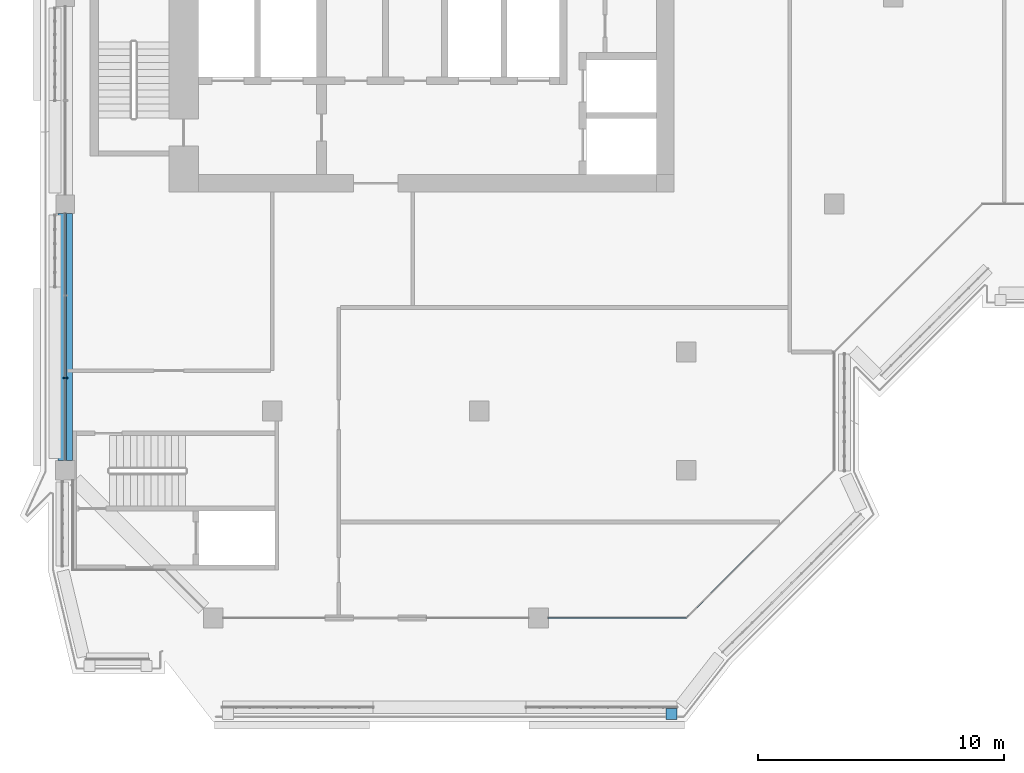
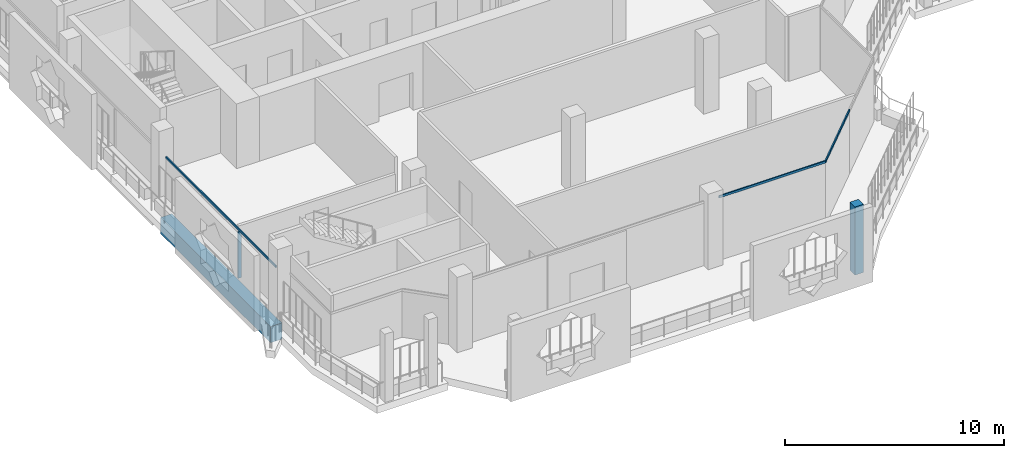
# One storey, part 2 of 21: 5 members, 1 beam, 4 elements without a shape of their own.
"""IFC4 building model written with IfcOpenShell, lengths in metres."""

from ifc_helpers import new_model, si_unit, direction, frame, origin, origin_2d, place, context, subcontext, project, spatial, rectangle, extrude, material, layer, layer_set, material_profile, profile_set, type_object, element, aggregate, save


model = new_model("IFC4")

# Units and contexts
model_context = context("Model", 3, precision=1e-05, world=origin(), true_north=direction((0.0, 1.0)))
body_context = subcontext(model_context, "Body", "Model", "MODEL_VIEW")
ifc_project = project(units=[si_unit("LENGTHUNIT", "METRE"), si_unit("AREAUNIT", "SQUARE_METRE"), si_unit("VOLUMEUNIT", "CUBIC_METRE"), si_unit("PLANEANGLEUNIT", "RADIAN"), si_unit("MASSUNIT", "GRAM", prefix="KILO")], contexts=[model_context])

# Site, building, storey
site_placement = place(None, origin())
site = spatial("IfcSite", under=ifc_project, at=site_placement, CompositionType="ELEMENT")
building_placement = place(site_placement, origin())
building = spatial("IfcBuilding", under=site, at=building_placement, Name="Kawkab Arch Medical Tower", CompositionType="ELEMENT")
storey_placement = place(building_placement, frame((0.0, 0.0, 302.800048828125)))
storey = spatial("IfcBuildingStorey", under=building, at=storey_placement, Name="L70", CompositionType="ELEMENT", Elevation=302.800048828125)

# Curtain wall, members
ifc_material_1 = material(Name="Bronze anodised aluminium curtain wall frame", Category="aluminium")
ifc_layer_1 = layer(ifc_material_1, 0.159912109375)
ifc_layer_set_1 = layer_set([ifc_layer_1], Name="Bronze anodised aluminium curtain wall frame")
curtain_wall_type_1 = type_object("IfcCurtainWallType", Name="CW1 ward curtain wall", PredefinedType="NOTDEFINED", material=ifc_layer_set_1)
placement = place(storey_placement, origin())
curtain_wall_1 = element("IfcCurtainWall", 1, at=placement, inside=storey, type_object=curtain_wall_type_1, Name="CW1 Ward curtain wall R02", PredefinedType="NOTDEFINED")
ifc_material_2 = material(Name="Bronze anodised aluminium curtain wall frame", Category="aluminium")
ifc_material_profile_1 = material_profile(ifc_material_2, rectangle(XDim=0.179931640625, YDim=0.06005859375, at=origin_2d()), Name="AL 60x180")
ifc_profile_set_1 = profile_set([ifc_material_profile_1], Name="Bronze anodised aluminium curtain wall frame")
member_type_1 = type_object("IfcMemberType", Name="CW1 mullion 60 x 180", PredefinedType="MULLION", material=ifc_profile_set_1)
member_1_placement = place(storey_placement, frame((0.0, -32.25830078125, 0.0), z_axis=(0.0, 0.0, 1.0), x_axis=(1.0, 0.0, 0.0)))
member_1 = element("IfcMember", 2, at=member_1_placement, type_object=member_type_1, Name="CW1 mullion 3.2", PredefinedType="MULLION", context=body_context, shape_type="SweptSolid", body=[
    extrude(rectangle(XDim=0.179931640625, YDim=0.06005859375, at=origin_2d()), origin(), (0.0, 0.0, 1.0), 2.579833984375),
])
ifc_material_3 = material(Name="Bronze anodised aluminium curtain wall frame", Category="aluminium")
ifc_material_profile_2 = material_profile(ifc_material_3, rectangle(XDim=0.06005859375, YDim=0.1201171875, at=origin_2d()), Name="AL 60x120")
ifc_profile_set_2 = profile_set([ifc_material_profile_2], Name="Bronze anodised aluminium curtain wall frame")
member_type_2 = type_object("IfcMemberType", Name="CW1 transom 120 x 60", PredefinedType="USERDEFINED", material=ifc_profile_set_2)
member_2_placement = place(storey_placement, frame((0.0, -25.574951171875, 2.639892578125), z_axis=(0.0, -1.0, 0.0), x_axis=(1.0, 0.0, 0.0)))
member_2 = element("IfcMember", 3, at=member_2_placement, type_object=member_type_2, Name="CW1 transom 3", ObjectType="TRANSOM", PredefinedType="USERDEFINED", context=body_context, shape_type="SweptSolid", body=[
    extrude(rectangle(XDim=0.06005859375, YDim=0.1201171875, at=origin_2d()), origin(), (0.0, 0.0, 1.0), 10.025146484375),
])
aggregate(curtain_wall_1, [member_2, member_1])

# Curtain wall, member
curtain_wall_2 = element("IfcCurtainWall", 4, at=placement, inside=storey, type_object=curtain_wall_type_1, Name="CW1 Ward curtain wall R07", PredefinedType="NOTDEFINED")
member_3_placement = place(storey_placement, frame((19.60009765625, -42.0, 3.5400390625), z_axis=(1.0, 0.0, 0.0), x_axis=(0.0, 1.0, 0.0)))
member_3 = element("IfcMember", 5, at=member_3_placement, type_object=member_type_2, Name="CW1 transom 2", ObjectType="TRANSOM", PredefinedType="USERDEFINED", context=body_context, shape_type="SweptSolid", body=[
    extrude(rectangle(XDim=0.06005859375, YDim=0.1201171875, at=origin_2d()), origin(), (0.0, 0.0, 1.0), 5.599853515625),
])
aggregate(curtain_wall_2, [member_3])

ifc_material_4 = material(Name="Bronze anodised aluminium curtain wall frame", Category="aluminium")
ifc_layer_2 = layer(ifc_material_4, 0.159912109375)
ifc_layer_set_2 = layer_set([ifc_layer_2], Name="Bronze anodised aluminium curtain wall frame")
curtain_wall_type_2 = type_object("IfcCurtainWallType", Name="CW2 chamfer curtain wall", PredefinedType="NOTDEFINED", material=ifc_layer_set_2)
curtain_wall_3 = element("IfcCurtainWall", 6, at=placement, inside=storey, type_object=curtain_wall_type_2, Name="CW2 Chamfer curtain wall R08", PredefinedType="NOTDEFINED")
ifc_material_5 = material(Name="Bronze anodised aluminium curtain wall frame", Category="aluminium")
ifc_material_profile_3 = material_profile(ifc_material_5, rectangle(XDim=0.06005859375, YDim=0.139892578125, at=origin_2d()), Name="AL 60x140")
ifc_profile_set_3 = profile_set([ifc_material_profile_3], Name="Bronze anodised aluminium curtain wall frame")
member_type_3 = type_object("IfcMemberType", Name="CW2 transom 140 x 60", PredefinedType="USERDEFINED", material=ifc_profile_set_3)
member_4_placement = place(storey_placement, frame((25.199951171875, -42.0, 3.530029296875), z_axis=(0.707106781187, 0.707106781187, 0.0), x_axis=(-0.707106781187, 0.707106781187, 0.0)))
member_4 = element("IfcMember", 7, at=member_4_placement, type_object=member_type_3, Name="CW2 transom 1", ObjectType="TRANSOM", PredefinedType="USERDEFINED", context=body_context, shape_type="SweptSolid", body=[
    extrude(rectangle(XDim=0.06005859375, YDim=0.139892578125, at=origin_2d()), origin(), (0.0, 0.0, 1.0), 4.24267578125),
])
aggregate(curtain_wall_3, [member_4])

ifc_material_6 = material(Name="Bronze anodised aluminium climber frame, planted", Category="aluminium")
ifc_layer_3 = layer(ifc_material_6, 0.449951171875)
ifc_layer_set_3 = layer_set([ifc_layer_3], Name="Bronze anodised aluminium climber frame, planted")
curtain_wall_type_3 = type_object("IfcCurtainWallType", Name="Planted climber frame", PredefinedType="NOTDEFINED", material=ifc_layer_set_3)
curtain_wall_4 = element("IfcCurtainWall", 8, at=placement, inside=storey, type_object=curtain_wall_type_3, Name="Planted climber frame L70", PredefinedType="NOTDEFINED")
ifc_material_7 = material(Name="Bronze anodised aluminium climber frame, planted", Category="aluminium")
ifc_material_profile_4 = material_profile(ifc_material_7, rectangle(XDim=0.449951171875, YDim=0.449951171875, at=origin_2d()), Name="Post 450x450")
ifc_profile_set_4 = profile_set([ifc_material_profile_4], Name="Bronze anodised aluminium climber frame, planted")
member_type_4 = type_object("IfcMemberType", Name="Planted climber post 450 x 450", PredefinedType="MULLION", material=ifc_profile_set_4)
member_5_placement = place(storey_placement, frame((24.60302734375, -45.89990234375, 0.0), z_axis=(0.0, 0.0, 1.0), x_axis=(1.0, 0.0, 0.0)))
member_5 = element("IfcMember", 9, at=member_5_placement, type_object=member_type_4, Name="Planted climber post L70.LOG-01-01.7", PredefinedType="MULLION", context=body_context, shape_type="SweptSolid", body=[
    extrude(rectangle(XDim=0.449951171875, YDim=0.449951171875, at=origin_2d()), origin(), (0.0, 0.0, 1.0), 3.800048828125),
])
aggregate(curtain_wall_4, [member_5])

# Beam
ifc_material_8 = material(Name="Concrete C40/50", Category="concrete")
ifc_material_profile_5 = material_profile(ifc_material_8, rectangle(XDim=0.60009765625, YDim=0.89990234375, at=origin_2d()), Name="RC 600x900")
ifc_profile_set_5 = profile_set([ifc_material_profile_5], Name="Concrete C40/50")
beam_type = type_object("IfcBeamType", Name="RC 600x900 beam C40/50", PredefinedType="BEAM", material=ifc_profile_set_5)
beam_placement = place(storey_placement, frame((0.0, -35.60009765625, -1.050048828125), z_axis=(0.0, 1.0, 0.0), x_axis=(-1.0, 0.0, 0.0)))
element("IfcBeam", 10, at=beam_placement, inside=storey, type_object=beam_type, Name="Overhang edge beam L70-03", PredefinedType="BEAM", context=body_context, shape_type="SweptSolid", body=[
    extrude(rectangle(XDim=0.60009765625, YDim=0.89990234375, at=origin_2d()), origin(), (0.0, 0.0, 1.0), 10.025146484375),
])

save(model, "model.ifc")
